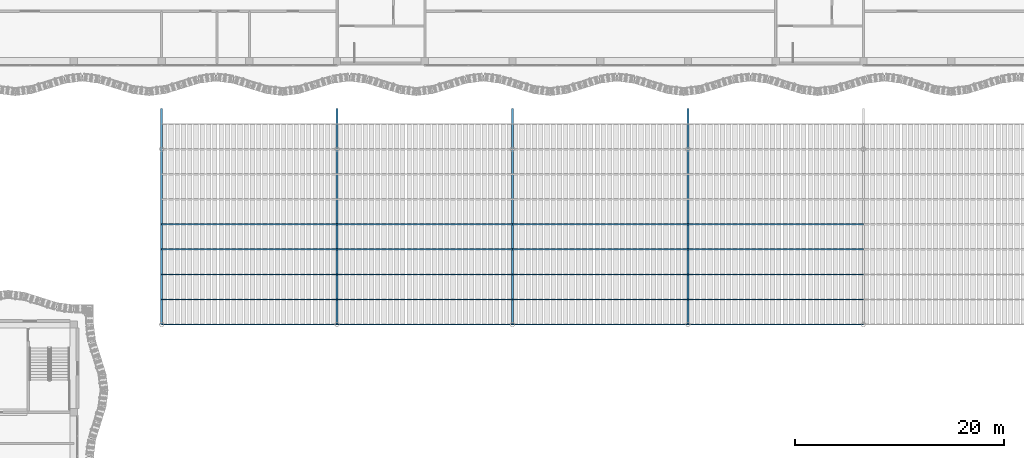
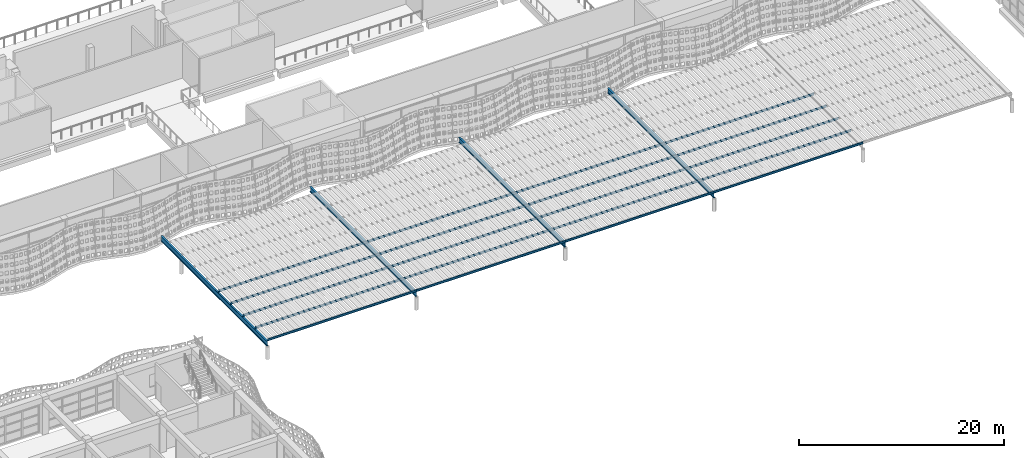
# One storey, part 25 of 162: 20 members, 4 beams.
"""IFC4 building model written with IfcOpenShell, lengths in metres."""

from ifc_helpers import new_model, si_unit, direction, frame, origin, origin_2d, place, context, subcontext, project, spatial, i_section, extrude, material, material_profile, profile_set, type_object, element, save


model = new_model("IFC4")

# Units and contexts
model_context = context("Model", 3, precision=1e-05, world=origin(), true_north=direction((0.0, 1.0)))
body_context = subcontext(model_context, "Body", "Model", "MODEL_VIEW")
ifc_project = project(units=[si_unit("LENGTHUNIT", "METRE"), si_unit("AREAUNIT", "SQUARE_METRE"), si_unit("VOLUMEUNIT", "CUBIC_METRE"), si_unit("PLANEANGLEUNIT", "RADIAN"), si_unit("MASSUNIT", "GRAM", prefix="KILO")], contexts=[model_context])

# Site, building, storey
site_placement = place(None, origin())
site = spatial("IfcSite", under=ifc_project, at=site_placement, CompositionType="ELEMENT")
building_placement = place(site_placement, origin())
building = spatial("IfcBuilding", under=site, at=building_placement, Name="Rain Tree Exposition and Congress Centre", CompositionType="ELEMENT")
storey_placement = place(building_placement, frame((0.0, 0.0, 6.0)))
storey = spatial("IfcBuildingStorey", under=building, at=storey_placement, Name="L01", CompositionType="ELEMENT", Elevation=6.0)

# Beams
ifc_material_1 = material(Name="Steel S355J2", Category="steel")
ifc_material_profile_1 = material_profile(ifc_material_1, i_section(OverallWidth=0.199951171875, OverallDepth=0.60009765625, WebThickness=0.010986328125, FlangeThickness=0.01708984375, FilletRadius=0.02197265625, at=origin_2d()), Name="H 600x200x11x17")
ifc_profile_set_1 = profile_set([ifc_material_profile_1], Name="Steel S355J2")
beam_type = type_object("IfcBeamType", Name="Steel beam H 600x200x11x17", PredefinedType="BEAM", material=ifc_profile_set_1)
for number, where, z_axis, x_axis, name in (
    (1, (58.800048828125, 50.39990234375, 1.800048828125), (0.0, 1.0, 0.0), (-1.0, 0.0, 0.0), "Canopy primary beam 1"),
    (2, (75.60009765625, 50.39990234375, 1.800048828125), (0.0, 1.0, 0.0), (-1.0, 0.0, 0.0), "Canopy primary beam 2"),
    (3, (92.39990234375, 50.39990234375, 1.800048828125), (0.0, 1.0, 0.0), (-1.0, 0.0, 0.0), "Canopy primary beam 3"),
    (4, (109.199951171875, 50.39990234375, 1.800048828125), (0.0, 1.0, 0.0), (-1.0, 0.0, 0.0), "Canopy primary beam 4"),
):
    element("IfcBeam", number, at=place(storey_placement, frame(where, z_axis=z_axis, x_axis=x_axis)), inside=storey, type_object=beam_type, Name=name, PredefinedType="BEAM", context=body_context, shape_type="SweptSolid", body=[
        extrude(i_section(OverallWidth=0.199951171875, OverallDepth=0.60009765625, WebThickness=0.010986328125, FlangeThickness=0.01708984375, FilletRadius=0.02197265625, at=origin_2d()), origin(), (0.0, 0.0, 1.0), 20.7001953125),
    ])

# Members
ifc_material_2 = material(Name="Steel S355J2", Category="steel")
ifc_material_profile_2 = material_profile(ifc_material_2, i_section(OverallWidth=0.125, OverallDepth=0.25, WebThickness=0.006103515625, FlangeThickness=0.009033203125, FilletRadius=0.008056640625, at=origin_2d()), Name="H 250x125x6x9")
ifc_profile_set_2 = profile_set([ifc_material_profile_2], Name="Steel S355J2")
member_type = type_object("IfcMemberType", Name="Steel purlin H 250x125x6x9", PredefinedType="PURLIN", material=ifc_profile_set_2)
member_1_placement = place(storey_placement, frame((58.800048828125, 50.39990234375, 2.22509765625), z_axis=(1.0, 0.0, 0.0), x_axis=(0.0, 1.0, 0.0)))
element("IfcMember", 5, at=member_1_placement, inside=storey, type_object=member_type, Name="Canopy purlin 1", PredefinedType="PURLIN", context=body_context, shape_type="SweptSolid", body=[
    extrude(i_section(OverallWidth=0.125, OverallDepth=0.25, WebThickness=0.006103515625, FlangeThickness=0.009033203125, FilletRadius=0.008056640625, at=origin_2d()), origin(), (0.0, 0.0, 1.0), 16.800048828125),
])
member_2_placement = place(storey_placement, frame((75.60009765625, 50.39990234375, 2.22509765625), z_axis=(1.0, 0.0, 0.0), x_axis=(0.0, 1.0, 0.0)))
element("IfcMember", 6, at=member_2_placement, inside=storey, type_object=member_type, Name="Canopy purlin 2", PredefinedType="PURLIN", context=body_context, shape_type="SweptSolid", body=[
    extrude(i_section(OverallWidth=0.125, OverallDepth=0.25, WebThickness=0.006103515625, FlangeThickness=0.009033203125, FilletRadius=0.008056640625, at=origin_2d()), origin(), (0.0, 0.0, 1.0), 16.7998046875),
])
for number, where, z_axis, x_axis, name in (
    (7, (92.39990234375, 50.39990234375, 2.22509765625), (1.0, 0.0, 0.0), (0.0, 1.0, 0.0), "Canopy purlin 3"),
    (8, (109.199951171875, 50.39990234375, 2.22509765625), (1.0, 0.0, 0.0), (0.0, 1.0, 0.0), "Canopy purlin 4"),
    (9, (58.800048828125, 52.800048828125, 2.22509765625), (1.0, 0.0, 0.0), (0.0, 1.0, 0.0), "Canopy purlin 6"),
):
    element("IfcMember", number, at=place(storey_placement, frame(where, z_axis=z_axis, x_axis=x_axis)), inside=storey, type_object=member_type, Name=name, PredefinedType="PURLIN", context=body_context, shape_type="SweptSolid", body=[
        extrude(i_section(OverallWidth=0.125, OverallDepth=0.25, WebThickness=0.006103515625, FlangeThickness=0.009033203125, FilletRadius=0.008056640625, at=origin_2d()), origin(), (0.0, 0.0, 1.0), 16.800048828125),
    ])
member_3_placement = place(storey_placement, frame((75.60009765625, 52.800048828125, 2.22509765625), z_axis=(1.0, 0.0, 0.0), x_axis=(0.0, 1.0, 0.0)))
element("IfcMember", 10, at=member_3_placement, inside=storey, type_object=member_type, Name="Canopy purlin 7", PredefinedType="PURLIN", context=body_context, shape_type="SweptSolid", body=[
    extrude(i_section(OverallWidth=0.125, OverallDepth=0.25, WebThickness=0.006103515625, FlangeThickness=0.009033203125, FilletRadius=0.008056640625, at=origin_2d()), origin(), (0.0, 0.0, 1.0), 16.7998046875),
])
for number, where, z_axis, x_axis, name in (
    (11, (92.39990234375, 52.800048828125, 2.22509765625), (1.0, 0.0, 0.0), (0.0, 1.0, 0.0), "Canopy purlin 8"),
    (12, (109.199951171875, 52.800048828125, 2.22509765625), (1.0, 0.0, 0.0), (0.0, 1.0, 0.0), "Canopy purlin 9"),
    (13, (58.800048828125, 55.199951171875, 2.22509765625), (1.0, 0.0, 0.0), (0.0, 1.0, 0.0), "Canopy purlin 11"),
):
    element("IfcMember", number, at=place(storey_placement, frame(where, z_axis=z_axis, x_axis=x_axis)), inside=storey, type_object=member_type, Name=name, PredefinedType="PURLIN", context=body_context, shape_type="SweptSolid", body=[
        extrude(i_section(OverallWidth=0.125, OverallDepth=0.25, WebThickness=0.006103515625, FlangeThickness=0.009033203125, FilletRadius=0.008056640625, at=origin_2d()), origin(), (0.0, 0.0, 1.0), 16.800048828125),
    ])
member_4_placement = place(storey_placement, frame((75.60009765625, 55.199951171875, 2.22509765625), z_axis=(1.0, 0.0, 0.0), x_axis=(0.0, 1.0, 0.0)))
element("IfcMember", 14, at=member_4_placement, inside=storey, type_object=member_type, Name="Canopy purlin 12", PredefinedType="PURLIN", context=body_context, shape_type="SweptSolid", body=[
    extrude(i_section(OverallWidth=0.125, OverallDepth=0.25, WebThickness=0.006103515625, FlangeThickness=0.009033203125, FilletRadius=0.008056640625, at=origin_2d()), origin(), (0.0, 0.0, 1.0), 16.7998046875),
])
for number, where, z_axis, x_axis, name in (
    (15, (92.39990234375, 55.199951171875, 2.22509765625), (1.0, 0.0, 0.0), (0.0, 1.0, 0.0), "Canopy purlin 13"),
    (16, (109.199951171875, 55.199951171875, 2.22509765625), (1.0, 0.0, 0.0), (0.0, 1.0, 0.0), "Canopy purlin 14"),
    (17, (58.800048828125, 57.60009765625, 2.22509765625), (1.0, 0.0, 0.0), (0.0, 1.0, 0.0), "Canopy purlin 16"),
):
    element("IfcMember", number, at=place(storey_placement, frame(where, z_axis=z_axis, x_axis=x_axis)), inside=storey, type_object=member_type, Name=name, PredefinedType="PURLIN", context=body_context, shape_type="SweptSolid", body=[
        extrude(i_section(OverallWidth=0.125, OverallDepth=0.25, WebThickness=0.006103515625, FlangeThickness=0.009033203125, FilletRadius=0.008056640625, at=origin_2d()), origin(), (0.0, 0.0, 1.0), 16.800048828125),
    ])
member_5_placement = place(storey_placement, frame((75.60009765625, 57.60009765625, 2.22509765625), z_axis=(1.0, 0.0, 0.0), x_axis=(0.0, 1.0, 0.0)))
element("IfcMember", 18, at=member_5_placement, inside=storey, type_object=member_type, Name="Canopy purlin 17", PredefinedType="PURLIN", context=body_context, shape_type="SweptSolid", body=[
    extrude(i_section(OverallWidth=0.125, OverallDepth=0.25, WebThickness=0.006103515625, FlangeThickness=0.009033203125, FilletRadius=0.008056640625, at=origin_2d()), origin(), (0.0, 0.0, 1.0), 16.7998046875),
])
for number, where, z_axis, x_axis, name in (
    (19, (92.39990234375, 57.60009765625, 2.22509765625), (1.0, 0.0, 0.0), (0.0, 1.0, 0.0), "Canopy purlin 18"),
    (20, (109.199951171875, 57.60009765625, 2.22509765625), (1.0, 0.0, 0.0), (0.0, 1.0, 0.0), "Canopy purlin 19"),
    (21, (58.800048828125, 60.0, 2.22509765625), (1.0, 0.0, 0.0), (0.0, 1.0, 0.0), "Canopy purlin 21"),
):
    element("IfcMember", number, at=place(storey_placement, frame(where, z_axis=z_axis, x_axis=x_axis)), inside=storey, type_object=member_type, Name=name, PredefinedType="PURLIN", context=body_context, shape_type="SweptSolid", body=[
        extrude(i_section(OverallWidth=0.125, OverallDepth=0.25, WebThickness=0.006103515625, FlangeThickness=0.009033203125, FilletRadius=0.008056640625, at=origin_2d()), origin(), (0.0, 0.0, 1.0), 16.800048828125),
    ])
member_6_placement = place(storey_placement, frame((75.60009765625, 60.0, 2.22509765625), z_axis=(1.0, 0.0, 0.0), x_axis=(0.0, 1.0, 0.0)))
element("IfcMember", 22, at=member_6_placement, inside=storey, type_object=member_type, Name="Canopy purlin 22", PredefinedType="PURLIN", context=body_context, shape_type="SweptSolid", body=[
    extrude(i_section(OverallWidth=0.125, OverallDepth=0.25, WebThickness=0.006103515625, FlangeThickness=0.009033203125, FilletRadius=0.008056640625, at=origin_2d()), origin(), (0.0, 0.0, 1.0), 16.7998046875),
])
for number, where, z_axis, x_axis, name in (
    (23, (92.39990234375, 60.0, 2.22509765625), (1.0, 0.0, 0.0), (0.0, 1.0, 0.0), "Canopy purlin 23"),
    (24, (109.199951171875, 60.0, 2.22509765625), (1.0, 0.0, 0.0), (0.0, 1.0, 0.0), "Canopy purlin 24"),
):
    element("IfcMember", number, at=place(storey_placement, frame(where, z_axis=z_axis, x_axis=x_axis)), inside=storey, type_object=member_type, Name=name, PredefinedType="PURLIN", context=body_context, shape_type="SweptSolid", body=[
        extrude(i_section(OverallWidth=0.125, OverallDepth=0.25, WebThickness=0.006103515625, FlangeThickness=0.009033203125, FilletRadius=0.008056640625, at=origin_2d()), origin(), (0.0, 0.0, 1.0), 16.800048828125),
    ])

save(model, "model.ifc")
